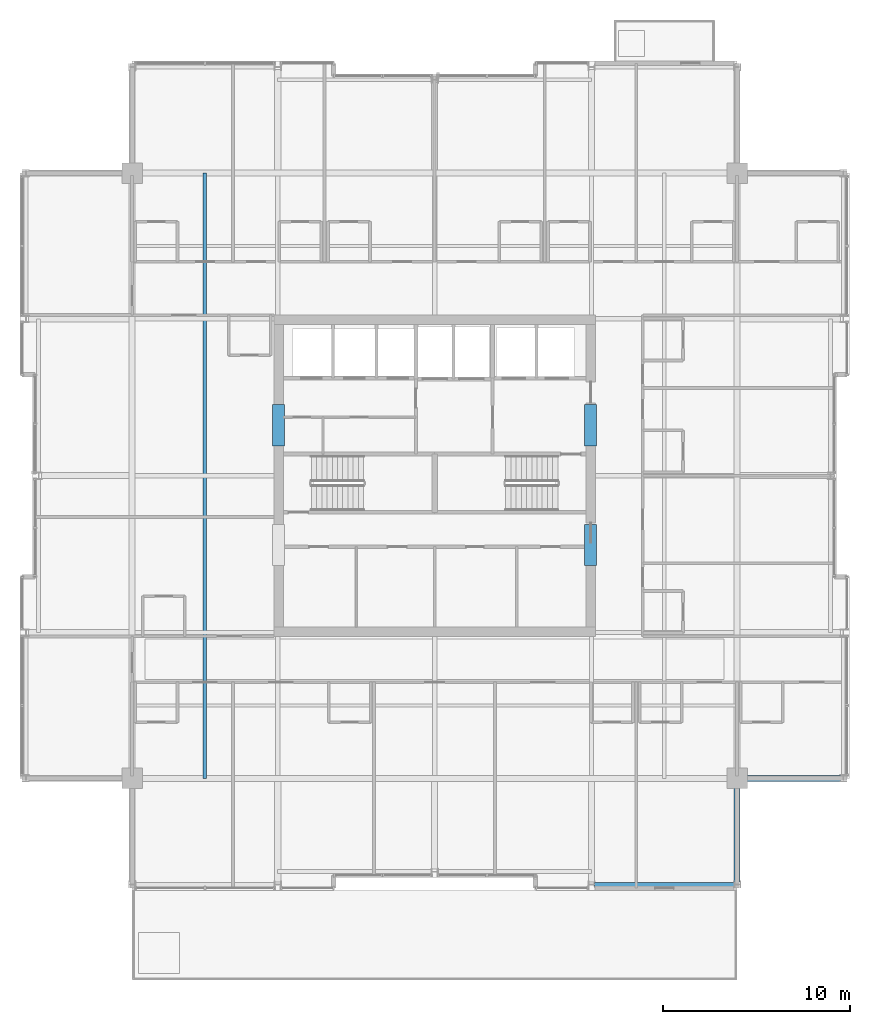
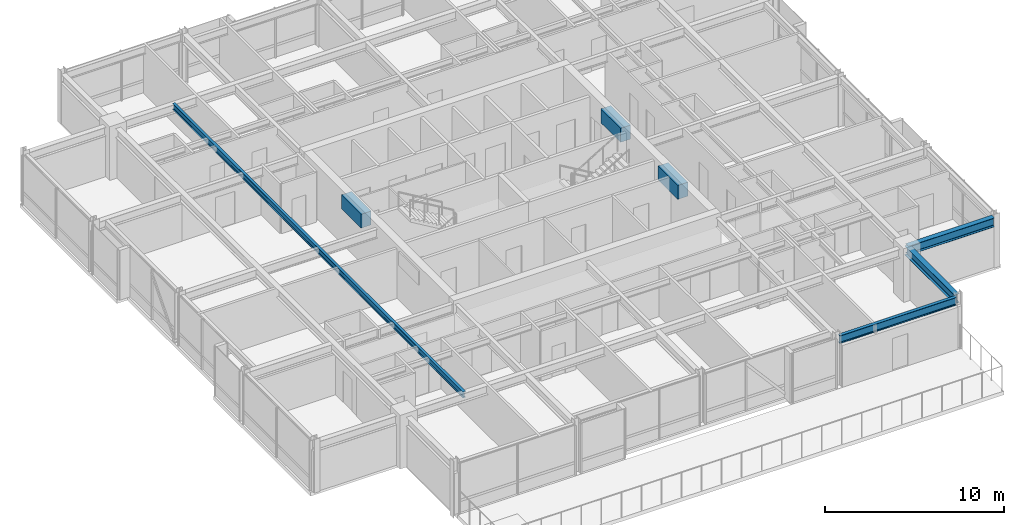
# One storey, part 11 of 32: 7 beams.
"""IFC4 building model written with IfcOpenShell, lengths in metres."""

from ifc_helpers import new_model, si_unit, direction, frame, origin, origin_2d, place, context, subcontext, project, spatial, rectangle, i_section, extrude, material, material_profile, profile_set, type_object, element, save


model = new_model("IFC4")

# Units and contexts
model_context = context("Model", 3, precision=1e-05, world=origin(), true_north=direction((0.0, 1.0)))
body_context = subcontext(model_context, "Body", "Model", "MODEL_VIEW")
ifc_project = project(units=[si_unit("LENGTHUNIT", "METRE"), si_unit("AREAUNIT", "SQUARE_METRE"), si_unit("VOLUMEUNIT", "CUBIC_METRE"), si_unit("PLANEANGLEUNIT", "RADIAN"), si_unit("MASSUNIT", "GRAM", prefix="KILO")], contexts=[model_context])

# Site, building, storey
site_placement = place(None, origin())
site = spatial("IfcSite", under=ifc_project, at=site_placement, CompositionType="ELEMENT")
building_placement = place(site_placement, origin())
building = spatial("IfcBuilding", under=site, at=building_placement, Name="Drelvath Grand Hotel", CompositionType="ELEMENT")
storey_placement = place(building_placement, frame((0.0, 0.0, 265.0)))
storey = spatial("IfcBuildingStorey", under=building, at=storey_placement, Name="L69", CompositionType="ELEMENT", Elevation=265.0)

# Beams
ifc_material_1 = material(Name="Steel ASTM A992 Gr 50", Category="steel")
ifc_material_profile_1 = material_profile(ifc_material_1, i_section(OverallWidth=0.177734375, OverallDepth=0.40673828125, WebThickness=0.0078125, FlangeThickness=0.0126953125, FilletRadius=0.014892578125, at=origin_2d()), Name="W16X40")
ifc_profile_set_1 = profile_set([ifc_material_profile_1], Name="Steel ASTM A992 Gr 50")
beam_type_1 = type_object("IfcBeamType", Name="Composite Floor Joist W16X40", PredefinedType="JOIST", material=ifc_profile_set_1)
beam_1_placement = place(storey_placement, frame((-12.300048828125, 10.800048828125, 3.1865234375), z_axis=(0.0, 1.0, 0.0), x_axis=(-1.0, 0.0, 0.0)))
element("IfcBeam", 1, at=beam_1_placement, inside=storey, type_object=beam_type_1, Name="L69 Wing Floor Joist J3", PredefinedType="JOIST", context=body_context, shape_type="SweptSolid", body=[
    extrude(i_section(OverallWidth=0.177734375, OverallDepth=0.40673828125, WebThickness=0.0078125, FlangeThickness=0.0126953125, FilletRadius=0.014892578125, at=origin_2d()), origin(), (0.0, 0.0, 1.0), 32.39990234375),
])
ifc_material_2 = material(Name="Concrete f'c 55 MPa", Category="concrete")
ifc_material_profile_2 = material_profile(ifc_material_2, rectangle(XDim=0.64990234375, YDim=0.949951171875, at=origin_2d()), Name="CB650X950")
ifc_profile_set_2 = profile_set([ifc_material_profile_2], Name="Concrete f'c 55 MPa")
beam_type_2 = type_object("IfcBeamType", Name="Core Coupling Lintel CB650X950", PredefinedType="LINTEL", material=ifc_profile_set_2)
for number, where, z_axis, x_axis, name in (
    (2, (-8.35009765625, 28.60009765625, 2.9150390625), (0.0, 1.0, 0.0), (-1.0, 0.0, 0.0), "L69 Core Coupling Lintel WN"),
    (3, (8.35009765625, 22.199951171875, 2.9150390625), (0.0, 1.0, 0.0), (-1.0, 0.0, 0.0), "L69 Core Coupling Lintel ES"),
    (4, (8.35009765625, 28.60009765625, 2.9150390625), (0.0, 1.0, 0.0), (-1.0, 0.0, 0.0), "L69 Core Coupling Lintel EN"),
):
    element("IfcBeam", number, at=place(storey_placement, frame(where, z_axis=z_axis, x_axis=x_axis)), inside=storey, type_object=beam_type_2, Name=name, PredefinedType="LINTEL", context=body_context, shape_type="SweptSolid", body=[
        extrude(rectangle(XDim=0.64990234375, YDim=0.949951171875, at=origin_2d()), origin(), (0.0, 0.0, 1.0), 2.199951171875),
    ])
ifc_material_profile_3 = material_profile(ifc_material_1, i_section(OverallWidth=0.210205078125, OverallDepth=0.53662109375, WebThickness=0.010986328125, FlangeThickness=0.017333984375, FilletRadius=0.01806640625, at=origin_2d()), Name="W21X68")
ifc_profile_set_3 = profile_set([ifc_material_profile_3], Name="Steel ASTM A992 Gr 50")
beam_type_3 = type_object("IfcBeamType", Name="Perimeter Spandrel Beam W21X68", PredefinedType="SPANDREL", material=ifc_profile_set_3)
beam_2_placement = place(storey_placement, frame((8.5400390625, 5.1201171875, 3.12158203125), z_axis=(1.0, 0.0, 0.0), x_axis=(0.0, 1.0, 0.0)))
element("IfcBeam", 5, at=beam_2_placement, inside=storey, type_object=beam_type_3, Name="L69 Spandrel South E", PredefinedType="SPANDREL", context=body_context, shape_type="SweptSolid", body=[
    extrude(i_section(OverallWidth=0.210205078125, OverallDepth=0.53662109375, WebThickness=0.010986328125, FlangeThickness=0.017333984375, FilletRadius=0.01806640625, at=origin_2d()), origin(), (0.0, 0.0, 1.0), 7.52001953125),
])
ifc_material_profile_4 = material_profile(ifc_material_1, i_section(OverallWidth=0.323974609375, OverallDepth=0.611083984375, WebThickness=0.0126953125, FlangeThickness=0.01904296875, FilletRadius=0.02197265625, at=origin_2d()), Name="W24X104")
ifc_profile_set_4 = profile_set([ifc_material_profile_4], Name="Steel ASTM A992 Gr 50")
beam_type_4 = type_object("IfcBeamType", Name="Primary Floor Girder W24X104", PredefinedType="BEAM", material=ifc_profile_set_4)
for number, where, z_axis, x_axis, name in (
    (6, (16.199951171875, 10.800048828125, 3.08447265625), (1.0, 0.0, 0.0), (0.0, 1.0, 0.0), "L69 East Grid Girder C"),
    (7, (16.199951171875, 5.260009765625, 3.08447265625), (0.0, 1.0, 0.0), (-1.0, 0.0, 0.0), "L69 South Grid Girder 7"),
):
    element("IfcBeam", number, at=place(storey_placement, frame(where, z_axis=z_axis, x_axis=x_axis)), inside=storey, type_object=beam_type_4, Name=name, PredefinedType="BEAM", context=body_context, shape_type="SweptSolid", body=[
        extrude(i_section(OverallWidth=0.323974609375, OverallDepth=0.611083984375, WebThickness=0.0126953125, FlangeThickness=0.01904296875, FilletRadius=0.02197265625, at=origin_2d()), origin(), (0.0, 0.0, 1.0), 5.5400390625),
    ])

save(model, "model.ifc")
